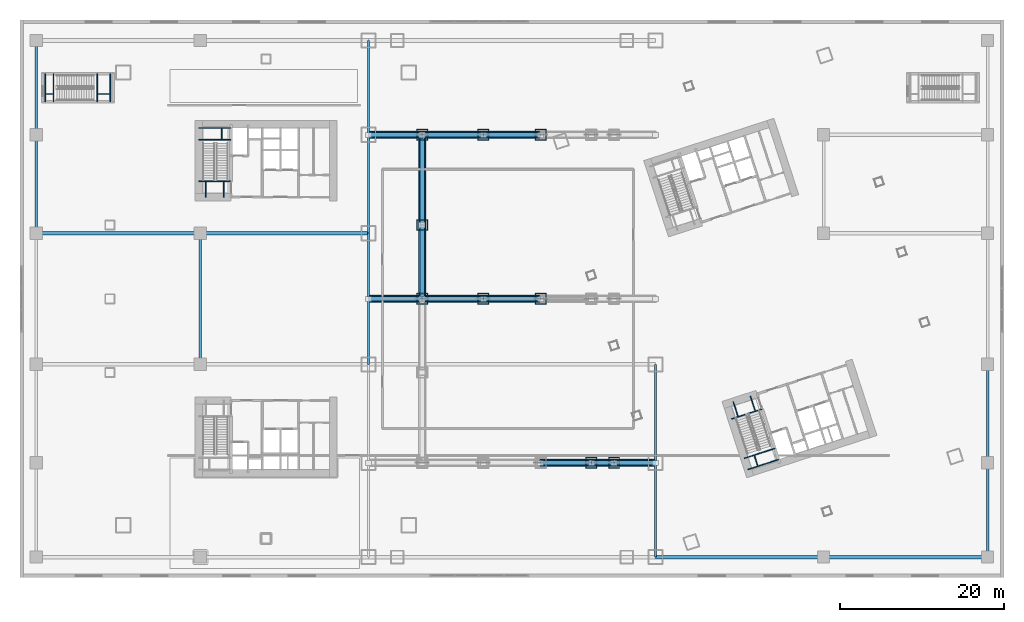
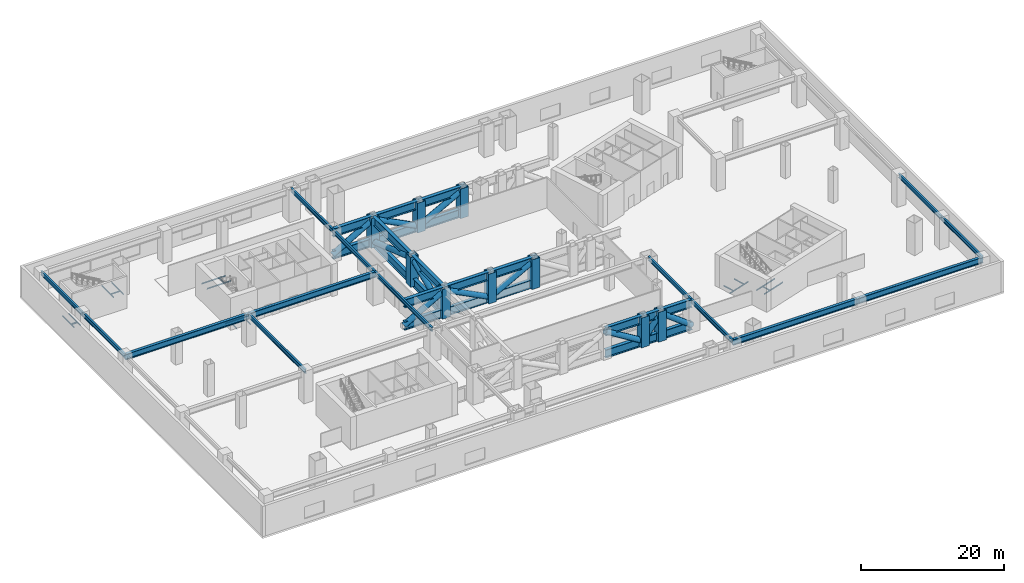
# One storey, part 13 of 34: 54 beams, 20 members.
"""IFC4 building model written with IfcOpenShell, lengths in metres."""

from ifc_helpers import new_model, si_unit, direction, frame, origin, origin_2d, place, context, subcontext, project, spatial, hollow_rectangle, hollow_circle, i_section, extrude, material, material_profile, profile_set, type_object, element, save


model = new_model("IFC4")

# Units and contexts
model_context = context("Model", 3, precision=1e-05, world=origin(), true_north=direction((0.0, 1.0)))
body_context = subcontext(model_context, "Body", "Model", "MODEL_VIEW")
ifc_project = project(units=[si_unit("LENGTHUNIT", "METRE"), si_unit("AREAUNIT", "SQUARE_METRE"), si_unit("VOLUMEUNIT", "CUBIC_METRE"), si_unit("PLANEANGLEUNIT", "RADIAN"), si_unit("MASSUNIT", "GRAM", prefix="KILO")], contexts=[model_context])

# Site, building, storey
site_placement = place(None, origin())
site = spatial("IfcSite", under=ifc_project, at=site_placement, CompositionType="ELEMENT")
building_placement = place(site_placement, origin())
building = spatial("IfcBuilding", under=site, at=building_placement, Name="Qiaolan Cultural Towers", CompositionType="ELEMENT")
storey_placement = place(building_placement, frame((0.0, 0.0, 16.5)))
storey = spatial("IfcBuildingStorey", under=building, at=storey_placement, Name="L03", CompositionType="ELEMENT", Elevation=16.5)

# Beams
ifc_material_1 = material(Name="Steel Q390GJB", Category="steel")
ifc_material_profile_1 = material_profile(ifc_material_1, i_section(OverallWidth=0.449951171875, OverallDepth=1.0, WebThickness=0.02392578125, FlangeThickness=0.0400390625, at=origin_2d()), Name="BH1000x450x24x40")
ifc_profile_set_1 = profile_set([ifc_material_profile_1], Name="Steel Q390GJB")
beam_type_1 = type_object("IfcBeamType", Name="BM-BH1000x450x24x40", PredefinedType="BEAM", material=ifc_profile_set_1)
beam_1_placement = place(storey_placement, frame((77.5, 2.5, 4.699951171875), z_axis=(1.0, 0.0, 0.0), x_axis=(0.0, 1.0, 0.0)))
element("IfcBeam", 1, at=beam_1_placement, inside=storey, type_object=beam_type_1, Name="L03 Podium Primary Girder Y=2.5", PredefinedType="BEAM", context=body_context, shape_type="SweptSolid", body=[
    extrude(i_section(OverallWidth=0.449951171875, OverallDepth=1.0, WebThickness=0.02392578125, FlangeThickness=0.0400390625, at=origin_2d()), origin(), (0.0, 0.0, 1.0), 20.5),
])
for number, where, z_axis, x_axis, name in (
    (2, (98.0, 2.5, 4.699951171875), (1.0, 0.0, 0.0), (0.0, 1.0, 0.0), "L03 Podium Primary Girder Y=2.5"),
    (3, (2.0, 42.0, 4.699951171875), (1.0, 0.0, 0.0), (0.0, 1.0, 0.0), "L03 Podium Primary Girder Y=42.0"),
):
    element("IfcBeam", number, at=place(storey_placement, frame(where, z_axis=z_axis, x_axis=x_axis)), inside=storey, type_object=beam_type_1, Name=name, PredefinedType="BEAM", context=body_context, shape_type="SweptSolid", body=[
        extrude(i_section(OverallWidth=0.449951171875, OverallDepth=1.0, WebThickness=0.02392578125, FlangeThickness=0.0400390625, at=origin_2d()), origin(), (0.0, 0.0, 1.0), 20.0),
    ])
beam_2_placement = place(storey_placement, frame((22.0, 42.0, 4.699951171875), z_axis=(1.0, 0.0, 0.0), x_axis=(0.0, 1.0, 0.0)))
element("IfcBeam", 4, at=beam_2_placement, inside=storey, type_object=beam_type_1, Name="L03 Podium Primary Girder Y=42.0", PredefinedType="BEAM", context=body_context, shape_type="SweptSolid", body=[
    extrude(i_section(OverallWidth=0.449951171875, OverallDepth=1.0, WebThickness=0.02392578125, FlangeThickness=0.0400390625, at=origin_2d()), origin(), (0.0, 0.0, 1.0), 20.5),
])
ifc_material_2 = material(Name="Steel Q420GJB", Category="steel")
ifc_material_profile_2 = material_profile(ifc_material_2, i_section(OverallWidth=0.550048828125, OverallDepth=1.39990234375, WebThickness=0.031982421875, FlangeThickness=0.050048828125, at=origin_2d()), Name="BH1400x550x32x50")
ifc_profile_set_2 = profile_set([ifc_material_profile_2], Name="Steel Q420GJB")
beam_type_2 = type_object("IfcBeamType", Name="BM-BH1400x550x32x50", PredefinedType="BEAM", material=ifc_profile_set_2)
for number, where, z_axis, x_axis, name in (
    (5, (63.5, 14.0, 0.699951171875), (1.0, 0.0, 0.0), (0.0, 1.0, 0.0), "L03 Podium Transfer Truss 1 Bottom Chord 4"),
    (6, (63.5, 14.0, 4.5), (1.0, 0.0, 0.0), (0.0, 1.0, 0.0), "L03 Podium Transfer Truss 1 Top Chord 4"),
):
    element("IfcBeam", number, at=place(storey_placement, frame(where, z_axis=z_axis, x_axis=x_axis)), inside=storey, type_object=beam_type_2, Name=name, PredefinedType="BEAM", context=body_context, shape_type="SweptSolid", body=[
        extrude(i_section(OverallWidth=0.550048828125, OverallDepth=1.39990234375, WebThickness=0.031982421875, FlangeThickness=0.050048828125, at=origin_2d()), origin(), (0.0, 0.0, 1.0), 6.171875),
    ])
for number, where, z_axis, x_axis, name in (
    (7, (69.671875, 14.0, 0.699951171875), (1.0, 0.0, 0.0), (0.0, 1.0, 0.0), "L03 Podium Transfer Truss 1 Bottom Chord 5"),
    (8, (69.671875, 14.0, 4.5), (1.0, 0.0, 0.0), (0.0, 1.0, 0.0), "L03 Podium Transfer Truss 1 Top Chord 5"),
):
    element("IfcBeam", number, at=place(storey_placement, frame(where, z_axis=z_axis, x_axis=x_axis)), inside=storey, type_object=beam_type_2, Name=name, PredefinedType="BEAM", context=body_context, shape_type="SweptSolid", body=[
        extrude(i_section(OverallWidth=0.550048828125, OverallDepth=1.39990234375, WebThickness=0.031982421875, FlangeThickness=0.050048828125, at=origin_2d()), origin(), (0.0, 0.0, 1.0), 2.78125),
    ])
for number, where, z_axis, x_axis, name in (
    (9, (72.453125, 14.0, 0.699951171875), (1.0, 0.0, 0.0), (0.0, 1.0, 0.0), "L03 Podium Transfer Truss 1 Bottom Chord 6"),
    (10, (72.453125, 14.0, 4.5), (1.0, 0.0, 0.0), (0.0, 1.0, 0.0), "L03 Podium Transfer Truss 1 Top Chord 6"),
):
    element("IfcBeam", number, at=place(storey_placement, frame(where, z_axis=z_axis, x_axis=x_axis)), inside=storey, type_object=beam_type_2, Name=name, PredefinedType="BEAM", context=body_context, shape_type="SweptSolid", body=[
        extrude(i_section(OverallWidth=0.550048828125, OverallDepth=1.39990234375, WebThickness=0.031982421875, FlangeThickness=0.050048828125, at=origin_2d()), origin(), (0.0, 0.0, 1.0), 5.046875),
    ])
for number, where, z_axis, x_axis, name in (
    (11, (42.5, 34.0, 0.699951171875), (1.0, 0.0, 0.0), (0.0, 1.0, 0.0), "L03 Podium Transfer Truss 2 Bottom Chord 1"),
    (12, (42.5, 34.0, 4.5), (1.0, 0.0, 0.0), (0.0, 1.0, 0.0), "L03 Podium Transfer Truss 2 Top Chord 1"),
):
    element("IfcBeam", number, at=place(storey_placement, frame(where, z_axis=z_axis, x_axis=x_axis)), inside=storey, type_object=beam_type_2, Name=name, PredefinedType="BEAM", context=body_context, shape_type="SweptSolid", body=[
        extrude(i_section(OverallWidth=0.550048828125, OverallDepth=1.39990234375, WebThickness=0.031982421875, FlangeThickness=0.050048828125, at=origin_2d()), origin(), (0.0, 0.0, 1.0), 6.550048828125),
    ])
for number, where, z_axis, x_axis, name in (
    (13, (49.050048828125, 34.0, 0.699951171875), (1.0, 0.0, 0.0), (0.0, 1.0, 0.0), "L03 Podium Transfer Truss 2 Bottom Chord 2"),
    (14, (49.050048828125, 34.0, 4.5), (1.0, 0.0, 0.0), (0.0, 1.0, 0.0), "L03 Podium Transfer Truss 2 Top Chord 2"),
):
    element("IfcBeam", number, at=place(storey_placement, frame(where, z_axis=z_axis, x_axis=x_axis)), inside=storey, type_object=beam_type_2, Name=name, PredefinedType="BEAM", context=body_context, shape_type="SweptSolid", body=[
        extrude(i_section(OverallWidth=0.550048828125, OverallDepth=1.39990234375, WebThickness=0.031982421875, FlangeThickness=0.050048828125, at=origin_2d()), origin(), (0.0, 0.0, 1.0), 7.449951171875),
    ])
for number, where, z_axis, x_axis, name in (
    (15, (56.5, 34.0, 0.699951171875), (1.0, 0.0, 0.0), (0.0, 1.0, 0.0), "L03 Podium Transfer Truss 2 Bottom Chord 3"),
    (16, (56.5, 34.0, 4.5), (1.0, 0.0, 0.0), (0.0, 1.0, 0.0), "L03 Podium Transfer Truss 2 Top Chord 3"),
):
    element("IfcBeam", number, at=place(storey_placement, frame(where, z_axis=z_axis, x_axis=x_axis)), inside=storey, type_object=beam_type_2, Name=name, PredefinedType="BEAM", context=body_context, shape_type="SweptSolid", body=[
        extrude(i_section(OverallWidth=0.550048828125, OverallDepth=1.39990234375, WebThickness=0.031982421875, FlangeThickness=0.050048828125, at=origin_2d()), origin(), (0.0, 0.0, 1.0), 7.0),
    ])
for number, where, z_axis, x_axis, name in (
    (17, (42.5, 54.0, 0.699951171875), (1.0, 0.0, 0.0), (0.0, 1.0, 0.0), "L03 Podium Transfer Truss 3 Bottom Chord 1"),
    (18, (42.5, 54.0, 4.5), (1.0, 0.0, 0.0), (0.0, 1.0, 0.0), "L03 Podium Transfer Truss 3 Top Chord 1"),
):
    element("IfcBeam", number, at=place(storey_placement, frame(where, z_axis=z_axis, x_axis=x_axis)), inside=storey, type_object=beam_type_2, Name=name, PredefinedType="BEAM", context=body_context, shape_type="SweptSolid", body=[
        extrude(i_section(OverallWidth=0.550048828125, OverallDepth=1.39990234375, WebThickness=0.031982421875, FlangeThickness=0.050048828125, at=origin_2d()), origin(), (0.0, 0.0, 1.0), 6.550048828125),
    ])
for number, where, z_axis, x_axis, name in (
    (19, (49.050048828125, 54.0, 0.699951171875), (1.0, 0.0, 0.0), (0.0, 1.0, 0.0), "L03 Podium Transfer Truss 3 Bottom Chord 2"),
    (20, (49.050048828125, 54.0, 4.5), (1.0, 0.0, 0.0), (0.0, 1.0, 0.0), "L03 Podium Transfer Truss 3 Top Chord 2"),
):
    element("IfcBeam", number, at=place(storey_placement, frame(where, z_axis=z_axis, x_axis=x_axis)), inside=storey, type_object=beam_type_2, Name=name, PredefinedType="BEAM", context=body_context, shape_type="SweptSolid", body=[
        extrude(i_section(OverallWidth=0.550048828125, OverallDepth=1.39990234375, WebThickness=0.031982421875, FlangeThickness=0.050048828125, at=origin_2d()), origin(), (0.0, 0.0, 1.0), 7.449951171875),
    ])
for number, where, z_axis, x_axis, name in (
    (21, (56.5, 54.0, 0.699951171875), (1.0, 0.0, 0.0), (0.0, 1.0, 0.0), "L03 Podium Transfer Truss 3 Bottom Chord 3"),
    (22, (56.5, 54.0, 4.5), (1.0, 0.0, 0.0), (0.0, 1.0, 0.0), "L03 Podium Transfer Truss 3 Top Chord 3"),
):
    element("IfcBeam", number, at=place(storey_placement, frame(where, z_axis=z_axis, x_axis=x_axis)), inside=storey, type_object=beam_type_2, Name=name, PredefinedType="BEAM", context=body_context, shape_type="SweptSolid", body=[
        extrude(i_section(OverallWidth=0.550048828125, OverallDepth=1.39990234375, WebThickness=0.031982421875, FlangeThickness=0.050048828125, at=origin_2d()), origin(), (0.0, 0.0, 1.0), 7.0),
    ])
beam_3_placement = place(storey_placement, frame((49.050048828125, 34.0, 0.699951171875), z_axis=(0.0, 1.0, 0.0), x_axis=(-1.0, 0.0, 0.0)))
element("IfcBeam", 23, at=beam_3_placement, inside=storey, type_object=beam_type_2, Name="L03 Transfer Sub-Truss Bottom Chord T1-PC-E3 S", PredefinedType="BEAM", context=body_context, shape_type="SweptSolid", body=[
    extrude(i_section(OverallWidth=0.550048828125, OverallDepth=1.39990234375, WebThickness=0.031982421875, FlangeThickness=0.050048828125, at=origin_2d()), origin(), (0.0, 0.0, 1.0), 9.0),
])
for number, where, z_axis, x_axis, name in (
    (24, (49.050048828125, 43.0, 0.699951171875), (0.0, 1.0, 0.0), (-1.0, 0.0, 0.0), "L03 Transfer Sub-Truss Bottom Chord T1-PC-E3 N"),
    (25, (49.050048828125, 43.0, 4.5), (0.0, 1.0, 0.0), (-1.0, 0.0, 0.0), "L03 Transfer Carrier Girder T1-PC-E3 North"),
):
    element("IfcBeam", number, at=place(storey_placement, frame(where, z_axis=z_axis, x_axis=x_axis)), inside=storey, type_object=beam_type_2, Name=name, PredefinedType="BEAM", context=body_context, shape_type="SweptSolid", body=[
        extrude(i_section(OverallWidth=0.550048828125, OverallDepth=1.39990234375, WebThickness=0.031982421875, FlangeThickness=0.050048828125, at=origin_2d()), origin(), (0.0, 0.0, 1.0), 11.0),
    ])
beam_4_placement = place(storey_placement, frame((49.050048828125, 34.0, 4.5), z_axis=(0.0, 1.0, 0.0), x_axis=(-1.0, 0.0, 0.0)))
element("IfcBeam", 26, at=beam_4_placement, inside=storey, type_object=beam_type_2, Name="L03 Transfer Carrier Girder T1-PC-E3 South", PredefinedType="BEAM", context=body_context, shape_type="SweptSolid", body=[
    extrude(i_section(OverallWidth=0.550048828125, OverallDepth=1.39990234375, WebThickness=0.031982421875, FlangeThickness=0.050048828125, at=origin_2d()), origin(), (0.0, 0.0, 1.0), 9.0),
])
ifc_material_3 = material(Name="Steel Q355B", Category="steel")
ifc_material_profile_3 = material_profile(ifc_material_3, i_section(OverallWidth=0.300048828125, OverallDepth=0.699951171875, WebThickness=0.012939453125, FlangeThickness=0.02392578125, at=origin_2d()), Name="HN700x300x13x24")
ifc_profile_set_3 = profile_set([ifc_material_profile_3], Name="Steel Q355B")
beam_type_3 = type_object("IfcBeamType", Name="BM-HN700x300x13x24", PredefinedType="BEAM", material=ifc_profile_set_3)
beam_5_placement = place(storey_placement, frame((2.0, 42.0, 4.85009765625), z_axis=(0.0, 1.0, 0.0), x_axis=(-1.0, 0.0, 0.0)))
element("IfcBeam", 27, at=beam_5_placement, inside=storey, type_object=beam_type_3, Name="L03 Podium Transverse Beam X=2.0", PredefinedType="BEAM", context=body_context, shape_type="SweptSolid", body=[
    extrude(i_section(OverallWidth=0.300048828125, OverallDepth=0.699951171875, WebThickness=0.012939453125, FlangeThickness=0.02392578125, at=origin_2d()), origin(), (0.0, 0.0, 1.0), 12.0),
])
beam_6_placement = place(storey_placement, frame((2.0, 54.0, 4.85009765625), z_axis=(0.0, 1.0, 0.0), x_axis=(-1.0, 0.0, 0.0)))
element("IfcBeam", 28, at=beam_6_placement, inside=storey, type_object=beam_type_3, Name="L03 Podium Transverse Beam X=2.0", PredefinedType="BEAM", context=body_context, shape_type="SweptSolid", body=[
    extrude(i_section(OverallWidth=0.300048828125, OverallDepth=0.699951171875, WebThickness=0.012939453125, FlangeThickness=0.02392578125, at=origin_2d()), origin(), (0.0, 0.0, 1.0), 11.5),
])
for number, where, z_axis, x_axis, name in (
    (29, (22.0, 26.0, 4.85009765625), (0.0, 1.0, 0.0), (-1.0, 0.0, 0.0), "L03 Podium Transverse Beam X=22.0"),
    (30, (42.5, 26.0, 4.85009765625), (0.0, 1.0, 0.0), (-1.0, 0.0, 0.0), "L03 Podium Transverse Beam X=42.5"),
):
    element("IfcBeam", number, at=place(storey_placement, frame(where, z_axis=z_axis, x_axis=x_axis)), inside=storey, type_object=beam_type_3, Name=name, PredefinedType="BEAM", context=body_context, shape_type="SweptSolid", body=[
        extrude(i_section(OverallWidth=0.300048828125, OverallDepth=0.699951171875, WebThickness=0.012939453125, FlangeThickness=0.02392578125, at=origin_2d()), origin(), (0.0, 0.0, 1.0), 16.0),
    ])
beam_7_placement = place(storey_placement, frame((42.5, 42.0, 4.85009765625), z_axis=(0.0, 1.0, 0.0), x_axis=(-1.0, 0.0, 0.0)))
element("IfcBeam", 31, at=beam_7_placement, inside=storey, type_object=beam_type_3, Name="L03 Podium Transverse Beam X=42.5", PredefinedType="BEAM", context=body_context, shape_type="SweptSolid", body=[
    extrude(i_section(OverallWidth=0.300048828125, OverallDepth=0.699951171875, WebThickness=0.012939453125, FlangeThickness=0.02392578125, at=origin_2d()), origin(), (0.0, 0.0, 1.0), 12.0),
])
for number, where, z_axis, x_axis, name in (
    (32, (42.5, 54.0, 4.85009765625), (0.0, 1.0, 0.0), (-1.0, 0.0, 0.0), "L03 Podium Transverse Beam X=42.5"),
    (33, (77.5, 2.5, 4.85009765625), (0.0, 1.0, 0.0), (-1.0, 0.0, 0.0), "L03 Podium Transverse Beam X=77.5"),
):
    element("IfcBeam", number, at=place(storey_placement, frame(where, z_axis=z_axis, x_axis=x_axis)), inside=storey, type_object=beam_type_3, Name=name, PredefinedType="BEAM", context=body_context, shape_type="SweptSolid", body=[
        extrude(i_section(OverallWidth=0.300048828125, OverallDepth=0.699951171875, WebThickness=0.012939453125, FlangeThickness=0.02392578125, at=origin_2d()), origin(), (0.0, 0.0, 1.0), 11.5),
    ])
beam_8_placement = place(storey_placement, frame((77.5, 14.0, 4.85009765625), z_axis=(0.0, 1.0, 0.0), x_axis=(-1.0, 0.0, 0.0)))
element("IfcBeam", 34, at=beam_8_placement, inside=storey, type_object=beam_type_3, Name="L03 Podium Transverse Beam X=77.5", PredefinedType="BEAM", context=body_context, shape_type="SweptSolid", body=[
    extrude(i_section(OverallWidth=0.300048828125, OverallDepth=0.699951171875, WebThickness=0.012939453125, FlangeThickness=0.02392578125, at=origin_2d()), origin(), (0.0, 0.0, 1.0), 12.0),
])
beam_9_placement = place(storey_placement, frame((118.0, 2.5, 4.85009765625), z_axis=(0.0, 1.0, 0.0), x_axis=(-1.0, 0.0, 0.0)))
element("IfcBeam", 35, at=beam_9_placement, inside=storey, type_object=beam_type_3, Name="L03 Podium Transverse Beam X=118.0", PredefinedType="BEAM", context=body_context, shape_type="SweptSolid", body=[
    extrude(i_section(OverallWidth=0.300048828125, OverallDepth=0.699951171875, WebThickness=0.012939453125, FlangeThickness=0.02392578125, at=origin_2d()), origin(), (0.0, 0.0, 1.0), 11.5),
])
beam_10_placement = place(storey_placement, frame((118.0, 14.0, 4.85009765625), z_axis=(0.0, 1.0, 0.0), x_axis=(-1.0, 0.0, 0.0)))
element("IfcBeam", 36, at=beam_10_placement, inside=storey, type_object=beam_type_3, Name="L03 Podium Transverse Beam X=118.0", PredefinedType="BEAM", context=body_context, shape_type="SweptSolid", body=[
    extrude(i_section(OverallWidth=0.300048828125, OverallDepth=0.699951171875, WebThickness=0.012939453125, FlangeThickness=0.02392578125, at=origin_2d()), origin(), (0.0, 0.0, 1.0), 12.0),
])
ifc_material_4 = material(Name="Steel Q355B", Category="steel")
ifc_material_profile_4 = material_profile(ifc_material_4, i_section(OverallWidth=0.10009765625, OverallDepth=0.199951171875, WebThickness=0.005615234375, FlangeThickness=0.008056640625, at=origin_2d()), Name="HN200x100x5.5x8")
ifc_profile_set_4 = profile_set([ifc_material_profile_4], Name="Steel Q355B")
beam_type_4 = type_object("IfcBeamType", Name="BM-STTRIM-200", PredefinedType="BEAM", material=ifc_profile_set_4)
beam_11_placement = place(storey_placement, frame((21.800048828125, 48.340087890625, -0.4599609375), z_axis=(1.0, 0.0, 0.0), x_axis=(0.0, 1.0, 0.0)))
element("IfcBeam", 37, at=beam_11_placement, inside=storey, type_object=beam_type_4, Name="L03 ST-W2 Floor Landing Header Beam", PredefinedType="BEAM", context=body_context, shape_type="SweptSolid", body=[
    extrude(i_section(OverallWidth=0.10009765625, OverallDepth=0.199951171875, WebThickness=0.005615234375, FlangeThickness=0.008056640625, at=origin_2d()), origin(), (0.0, 0.0, 1.0), 3.919921875),
])
for number, where, z_axis, x_axis, name in (
    (38, (22.64990234375, 46.39990234375, -0.4599609375), (0.0, 1.0, 0.0), (-1.0, 0.0, 0.0), "L03 ST-W2 Floor Landing Stringer 1"),
    (39, (24.85009765625, 46.39990234375, -0.4599609375), (0.0, 1.0, 0.0), (-1.0, 0.0, 0.0), "L03 ST-W2 Floor Landing Stringer 2"),
):
    element("IfcBeam", number, at=place(storey_placement, frame(where, z_axis=z_axis, x_axis=x_axis)), inside=storey, type_object=beam_type_4, Name=name, PredefinedType="BEAM", context=body_context, shape_type="SweptSolid", body=[
        extrude(i_section(OverallWidth=0.10009765625, OverallDepth=0.199951171875, WebThickness=0.005615234375, FlangeThickness=0.008056640625, at=origin_2d()), origin(), (0.0, 0.0, 1.0), 1.940185546875),
    ])
for number, where, z_axis, x_axis, name in (
    (40, (21.800048828125, 53.388671875, 2.449951171875), (1.0, 0.0, 0.0), (0.0, 1.0, 0.0), "L03 ST-W2 Stair Landing Support Beam 1-1"),
    (41, (21.800048828125, 54.820068359375, 2.449951171875), (1.0, 0.0, 0.0), (0.0, 1.0, 0.0), "L03 ST-W2 Stair Landing Support Beam 1-2"),
):
    element("IfcBeam", number, at=place(storey_placement, frame(where, z_axis=z_axis, x_axis=x_axis)), inside=storey, type_object=beam_type_4, Name=name, PredefinedType="BEAM", context=body_context, shape_type="SweptSolid", body=[
        extrude(i_section(OverallWidth=0.10009765625, OverallDepth=0.199951171875, WebThickness=0.005615234375, FlangeThickness=0.008056640625, at=origin_2d()), origin(), (0.0, 0.0, 1.0), 3.919921875),
    ])
beam_12_placement = place(storey_placement, frame((24.610107421875, 53.388671875, 2.449951171875), z_axis=(0.0, 1.0, 0.0), x_axis=(-1.0, 0.0, 0.0)))
element("IfcBeam", 42, at=beam_12_placement, inside=storey, type_object=beam_type_4, Name="L03 ST-W2 Stair Landing Trimmer 1", PredefinedType="BEAM", context=body_context, shape_type="SweptSolid", body=[
    extrude(i_section(OverallWidth=0.10009765625, OverallDepth=0.199951171875, WebThickness=0.005615234375, FlangeThickness=0.008056640625, at=origin_2d()), origin(), (0.0, 0.0, 1.0), 1.431396484375),
])
beam_13_placement = place(storey_placement, frame((86.770751953125, 19.3447265625, -0.4599609375), z_axis=(0.951047798727, 0.309043823005, 0.0), x_axis=(-0.309043823005, 0.951047798727, 0.0)))
element("IfcBeam", 43, at=beam_13_placement, inside=storey, type_object=beam_type_4, Name="L03 ST-E1 Floor Landing Header Beam", PredefinedType="BEAM", context=body_context, shape_type="SweptSolid", body=[
    extrude(i_section(OverallWidth=0.10009765625, OverallDepth=0.199951171875, WebThickness=0.005615234375, FlangeThickness=0.008056640625, at=origin_2d()), origin(), (0.0, 0.0, 1.0), 3.919921875),
])
for number, where, z_axis, x_axis, name in (
    (44, (86.9794921875, 21.452392578125, -0.4599609375), (0.309083226701, -0.951034993558, 0.0), (0.951034993558, 0.309083226701, 0.0), "L03 ST-E1 Floor Landing Stringer 1"),
    (45, (89.07177734375, 22.13232421875, -0.4599609375), (0.309083226701, -0.951034993558, 0.0), (0.951034993558, 0.309083226701, 0.0), "L03 ST-E1 Floor Landing Stringer 2"),
):
    element("IfcBeam", number, at=place(storey_placement, frame(where, z_axis=z_axis, x_axis=x_axis)), inside=storey, type_object=beam_type_4, Name=name, PredefinedType="BEAM", context=body_context, shape_type="SweptSolid", body=[
        extrude(i_section(OverallWidth=0.10009765625, OverallDepth=0.199951171875, WebThickness=0.005615234375, FlangeThickness=0.008056640625, at=origin_2d()), origin(), (0.0, 0.0, 1.0), 1.93994140625),
    ])
for number, where, z_axis, x_axis, name in (
    (46, (88.330810546875, 14.543212890625, 2.449951171875), (0.951047798727, 0.309043823005, 0.0), (-0.309043823005, 0.951047798727, 0.0), "L03 ST-E1 Stair Landing Support Beam 1-1"),
    (47, (88.773193359375, 13.181884765625, 2.449951171875), (0.951047798727, 0.309043823005, 0.0), (-0.309043823005, 0.951047798727, 0.0), "L03 ST-E1 Stair Landing Support Beam 1-2"),
):
    element("IfcBeam", number, at=place(storey_placement, frame(where, z_axis=z_axis, x_axis=x_axis)), inside=storey, type_object=beam_type_4, Name=name, PredefinedType="BEAM", context=body_context, shape_type="SweptSolid", body=[
        extrude(i_section(OverallWidth=0.10009765625, OverallDepth=0.199951171875, WebThickness=0.005615234375, FlangeThickness=0.008056640625, at=origin_2d()), origin(), (0.0, 0.0, 1.0), 3.919921875),
    ])
beam_14_placement = place(storey_placement, frame((89.53857421875, 14.935546875, 2.449951171875), z_axis=(0.309105358644, -0.951027800465, 0.0), x_axis=(0.951027800465, 0.309105358644, 0.0)))
element("IfcBeam", 48, at=beam_14_placement, inside=storey, type_object=beam_type_4, Name="L03 ST-E1 Stair Landing Trimmer 1", PredefinedType="BEAM", context=body_context, shape_type="SweptSolid", body=[
    extrude(i_section(OverallWidth=0.10009765625, OverallDepth=0.199951171875, WebThickness=0.005615234375, FlangeThickness=0.008056640625, at=origin_2d()), origin(), (0.0, 0.0, 1.0), 1.43115234375),
])
for number, where, z_axis, x_axis, name in (
    (49, (3.080078125, 58.050048828125, -0.4599609375), (0.0, 1.0, 0.0), (-1.0, 0.0, 0.0), "L03 ST-P1 Floor Landing Beam 1"),
    (50, (4.080078125, 58.050048828125, -0.4599609375), (0.0, 1.0, 0.0), (-1.0, 0.0, 0.0), "L03 ST-P1 Floor Landing Beam 2"),
):
    element("IfcBeam", number, at=place(storey_placement, frame(where, z_axis=z_axis, x_axis=x_axis)), inside=storey, type_object=beam_type_4, Name=name, PredefinedType="BEAM", context=body_context, shape_type="SweptSolid", body=[
        extrude(i_section(OverallWidth=0.10009765625, OverallDepth=0.199951171875, WebThickness=0.005615234375, FlangeThickness=0.008056640625, at=origin_2d()), origin(), (0.0, 0.0, 1.0), 3.39990234375),
    ])
beam_15_placement = place(storey_placement, frame((3.080078125, 58.97509765625, -0.4599609375), z_axis=(1.0, 0.0, 0.0), x_axis=(0.0, 1.0, 0.0)))
element("IfcBeam", 51, at=beam_15_placement, inside=storey, type_object=beam_type_4, Name="L03 ST-P1 Floor Landing Trimmer", PredefinedType="BEAM", context=body_context, shape_type="SweptSolid", body=[
    extrude(i_section(OverallWidth=0.10009765625, OverallDepth=0.199951171875, WebThickness=0.005615234375, FlangeThickness=0.008056640625, at=origin_2d()), origin(), (0.0, 0.0, 1.0), 1.0),
])
for number, where, z_axis, x_axis, name in (
    (52, (9.438720703125, 58.050048828125, 2.449951171875), (0.0, 1.0, 0.0), (-1.0, 0.0, 0.0), "L03 ST-P1 Stair Landing Support Beam 1-1"),
    (53, (11.02001953125, 58.050048828125, 2.449951171875), (0.0, 1.0, 0.0), (-1.0, 0.0, 0.0), "L03 ST-P1 Stair Landing Support Beam 1-2"),
):
    element("IfcBeam", number, at=place(storey_placement, frame(where, z_axis=z_axis, x_axis=x_axis)), inside=storey, type_object=beam_type_4, Name=name, PredefinedType="BEAM", context=body_context, shape_type="SweptSolid", body=[
        extrude(i_section(OverallWidth=0.10009765625, OverallDepth=0.199951171875, WebThickness=0.005615234375, FlangeThickness=0.008056640625, at=origin_2d()), origin(), (0.0, 0.0, 1.0), 3.39990234375),
    ])
beam_16_placement = place(storey_placement, frame((9.438720703125, 58.97509765625, 2.449951171875), z_axis=(1.0, 0.0, 0.0), x_axis=(0.0, 1.0, 0.0)))
element("IfcBeam", 54, at=beam_16_placement, inside=storey, type_object=beam_type_4, Name="L03 ST-P1 Stair Landing Trimmer 1", PredefinedType="BEAM", context=body_context, shape_type="SweptSolid", body=[
    extrude(i_section(OverallWidth=0.10009765625, OverallDepth=0.199951171875, WebThickness=0.005615234375, FlangeThickness=0.008056640625, at=origin_2d()), origin(), (0.0, 0.0, 1.0), 1.581298828125),
])

# Members
ifc_material_5 = material(Name="Steel Q390GJB", Category="steel")
ifc_material_profile_5 = material_profile(ifc_material_5, hollow_circle(Radius=0.449951171875, WallThickness=0.044921875, at=origin_2d()), Name="CHS900x45")
ifc_profile_set_5 = profile_set([ifc_material_profile_5], Name="Steel Q390GJB")
member_type_1 = type_object("IfcMemberType", Name="MBR-BRC-CHS900x45", PredefinedType="BRACE", material=ifc_profile_set_5)
member_1_placement = place(storey_placement, frame((63.5, 14.0, 4.5), z_axis=(0.851536857202, 0.0, -0.524294746137), x_axis=(0.0, 1.0, 0.0)))
element("IfcMember", 55, at=member_1_placement, inside=storey, type_object=member_type_1, Name="L03 Podium Transfer Truss 1 Diagonal 4", PredefinedType="BRACE", context=body_context, shape_type="SweptSolid", body=[
    extrude(hollow_circle(Radius=0.449951171875, WallThickness=0.044921875, at=origin_2d()), origin(), (0.0, 0.0, 1.0), 7.247802734375),
])
member_2_placement = place(storey_placement, frame((69.671875, 14.0, 0.699951171875), z_axis=(0.590610464537, 0.0, 0.806956801309), x_axis=(0.0, 1.0, 0.0)))
element("IfcMember", 56, at=member_2_placement, inside=storey, type_object=member_type_1, Name="L03 Podium Transfer Truss 1 Diagonal 5", PredefinedType="BRACE", context=body_context, shape_type="SweptSolid", body=[
    extrude(hollow_circle(Radius=0.449951171875, WallThickness=0.044921875, at=origin_2d()), origin(), (0.0, 0.0, 1.0), 4.709228515625),
])
member_3_placement = place(storey_placement, frame((72.453125, 14.0, 4.5), z_axis=(0.798867055174, 0.0, -0.601507629343), x_axis=(0.0, 1.0, 0.0)))
element("IfcMember", 57, at=member_3_placement, inside=storey, type_object=member_type_1, Name="L03 Podium Transfer Truss 1 Diagonal 6", PredefinedType="BRACE", context=body_context, shape_type="SweptSolid", body=[
    extrude(hollow_circle(Radius=0.449951171875, WallThickness=0.044921875, at=origin_2d()), origin(), (0.0, 0.0, 1.0), 6.317626953125),
])
member_4_placement = place(storey_placement, frame((42.5, 34.0, 0.699951171875), z_axis=(0.864972695525, 0.0, 0.501818927498), x_axis=(0.0, 1.0, 0.0)))
element("IfcMember", 58, at=member_4_placement, inside=storey, type_object=member_type_1, Name="L03 Podium Transfer Truss 2 Diagonal 1", PredefinedType="BRACE", context=body_context, shape_type="SweptSolid", body=[
    extrude(hollow_circle(Radius=0.449951171875, WallThickness=0.044921875, at=origin_2d()), origin(), (0.0, 0.0, 1.0), 7.572509765625),
])
member_5_placement = place(storey_placement, frame((49.050048828125, 34.0, 4.5), z_axis=(0.89080768942, 0.0, -0.454380523868), x_axis=(0.0, 1.0, 0.0)))
element("IfcMember", 59, at=member_5_placement, inside=storey, type_object=member_type_1, Name="L03 Podium Transfer Truss 2 Diagonal 2", PredefinedType="BRACE", context=body_context, shape_type="SweptSolid", body=[
    extrude(hollow_circle(Radius=0.449951171875, WallThickness=0.044921875, at=origin_2d()), origin(), (0.0, 0.0, 1.0), 8.363037109375),
])
member_6_placement = place(storey_placement, frame((56.5, 34.0, 0.699951171875), z_axis=(0.878850861224, 0.0, 0.477096597899), x_axis=(0.0, 1.0, 0.0)))
element("IfcMember", 60, at=member_6_placement, inside=storey, type_object=member_type_1, Name="L03 Podium Transfer Truss 2 Diagonal 3", PredefinedType="BRACE", context=body_context, shape_type="SweptSolid", body=[
    extrude(hollow_circle(Radius=0.449951171875, WallThickness=0.044921875, at=origin_2d()), origin(), (0.0, 0.0, 1.0), 7.96484375),
])
member_7_placement = place(storey_placement, frame((42.5, 54.0, 0.699951171875), z_axis=(0.864972695525, 0.0, 0.501818927498), x_axis=(0.0, 1.0, 0.0)))
element("IfcMember", 61, at=member_7_placement, inside=storey, type_object=member_type_1, Name="L03 Podium Transfer Truss 3 Diagonal 1", PredefinedType="BRACE", context=body_context, shape_type="SweptSolid", body=[
    extrude(hollow_circle(Radius=0.449951171875, WallThickness=0.044921875, at=origin_2d()), origin(), (0.0, 0.0, 1.0), 7.572509765625),
])
member_8_placement = place(storey_placement, frame((49.050048828125, 54.0, 4.5), z_axis=(0.89080768942, 0.0, -0.454380523868), x_axis=(0.0, 1.0, 0.0)))
element("IfcMember", 62, at=member_8_placement, inside=storey, type_object=member_type_1, Name="L03 Podium Transfer Truss 3 Diagonal 2", PredefinedType="BRACE", context=body_context, shape_type="SweptSolid", body=[
    extrude(hollow_circle(Radius=0.449951171875, WallThickness=0.044921875, at=origin_2d()), origin(), (0.0, 0.0, 1.0), 8.363037109375),
])
member_9_placement = place(storey_placement, frame((56.5, 54.0, 0.699951171875), z_axis=(0.878850861224, 0.0, 0.477096597899), x_axis=(0.0, 1.0, 0.0)))
element("IfcMember", 63, at=member_9_placement, inside=storey, type_object=member_type_1, Name="L03 Podium Transfer Truss 3 Diagonal 3", PredefinedType="BRACE", context=body_context, shape_type="SweptSolid", body=[
    extrude(hollow_circle(Radius=0.449951171875, WallThickness=0.044921875, at=origin_2d()), origin(), (0.0, 0.0, 1.0), 7.96484375),
])
member_10_placement = place(storey_placement, frame((49.050048828125, 34.0, 0.699951171875), z_axis=(0.0, 0.921247770385, 0.388976278918), x_axis=(-1.0, 0.0, 0.0)))
element("IfcMember", 64, at=member_10_placement, inside=storey, type_object=member_type_1, Name="L03 Transfer Sub-Truss Diagonal T1-PC-E3-1", PredefinedType="BRACE", context=body_context, shape_type="SweptSolid", body=[
    extrude(hollow_circle(Radius=0.449951171875, WallThickness=0.044921875, at=origin_2d()), origin(), (0.0, 0.0, 1.0), 9.769287109375),
])
member_11_placement = place(storey_placement, frame((49.050048828125, 54.0, 0.699951171875), z_axis=(0.0, -0.945188910593, 0.326524001096), x_axis=(1.0, 0.0, 0.0)))
element("IfcMember", 65, at=member_11_placement, inside=storey, type_object=member_type_1, Name="L03 Transfer Sub-Truss Diagonal T1-PC-E3-2", PredefinedType="BRACE", context=body_context, shape_type="SweptSolid", body=[
    extrude(hollow_circle(Radius=0.449951171875, WallThickness=0.044921875, at=origin_2d()), origin(), (0.0, 0.0, 1.0), 11.637939453125),
])
ifc_material_6 = material(Name="Steel Q390GJB", Category="steel")
ifc_material_profile_6 = material_profile(ifc_material_6, hollow_rectangle(XDim=1.300048828125, YDim=1.300048828125, WallThickness=0.044921875, at=origin_2d()), Name="BOX1300x1300x45")
ifc_profile_set_6 = profile_set([ifc_material_profile_6], Name="Steel Q390GJB")
member_type_2 = type_object("IfcMemberType", Name="MBR-POST-BOX1300x1300x45", PredefinedType="STUD", material=ifc_profile_set_6)
for number, where, z_axis, x_axis, name in (
    (66, (69.671875, 14.0, 0.050048828125), (0.0, 0.0, 1.0), (1.0, 0.0, 0.0), "L03 Podium Transfer Truss 1 Vertical Web 4"),
    (67, (72.453125, 14.0, 0.050048828125), (0.0, 0.0, 1.0), (1.0, 0.0, 0.0), "L03 Podium Transfer Truss 1 Vertical Web 5"),
    (68, (49.050048828125, 34.0, 0.050048828125), (0.0, 0.0, 1.0), (1.0, 0.0, 0.0), "L03 Podium Transfer Truss 2 Vertical Web 1"),
    (69, (56.5, 34.0, 0.050048828125), (0.0, 0.0, 1.0), (1.0, 0.0, 0.0), "L03 Podium Transfer Truss 2 Vertical Web 2"),
    (70, (63.5, 34.0, 0.050048828125), (0.0, 0.0, 1.0), (1.0, 0.0, 0.0), "L03 Podium Transfer Truss 2 Vertical Web 3"),
    (71, (49.050048828125, 54.0, 0.050048828125), (0.0, 0.0, 1.0), (1.0, 0.0, 0.0), "L03 Podium Transfer Truss 3 Vertical Web 1"),
    (72, (56.5, 54.0, 0.050048828125), (0.0, 0.0, 1.0), (1.0, 0.0, 0.0), "L03 Podium Transfer Truss 3 Vertical Web 2"),
    (73, (63.5, 54.0, 0.050048828125), (0.0, 0.0, 1.0), (1.0, 0.0, 0.0), "L03 Podium Transfer Truss 3 Vertical Web 3"),
    (74, (49.050048828125, 43.0, 0.050048828125), (0.0, 0.0, 1.0), (1.0, 0.0, 0.0), "L03 Transfer Sub-Truss Web T1-PC-E3"),
):
    element("IfcMember", number, at=place(storey_placement, frame(where, z_axis=z_axis, x_axis=x_axis)), inside=storey, type_object=member_type_2, Name=name, PredefinedType="STUD", context=body_context, shape_type="SweptSolid", body=[
        extrude(hollow_rectangle(XDim=1.300048828125, YDim=1.300048828125, WallThickness=0.044921875, at=origin_2d()), origin(), (0.0, 0.0, 1.0), 5.099853515625),
    ])

save(model, "model.ifc")
